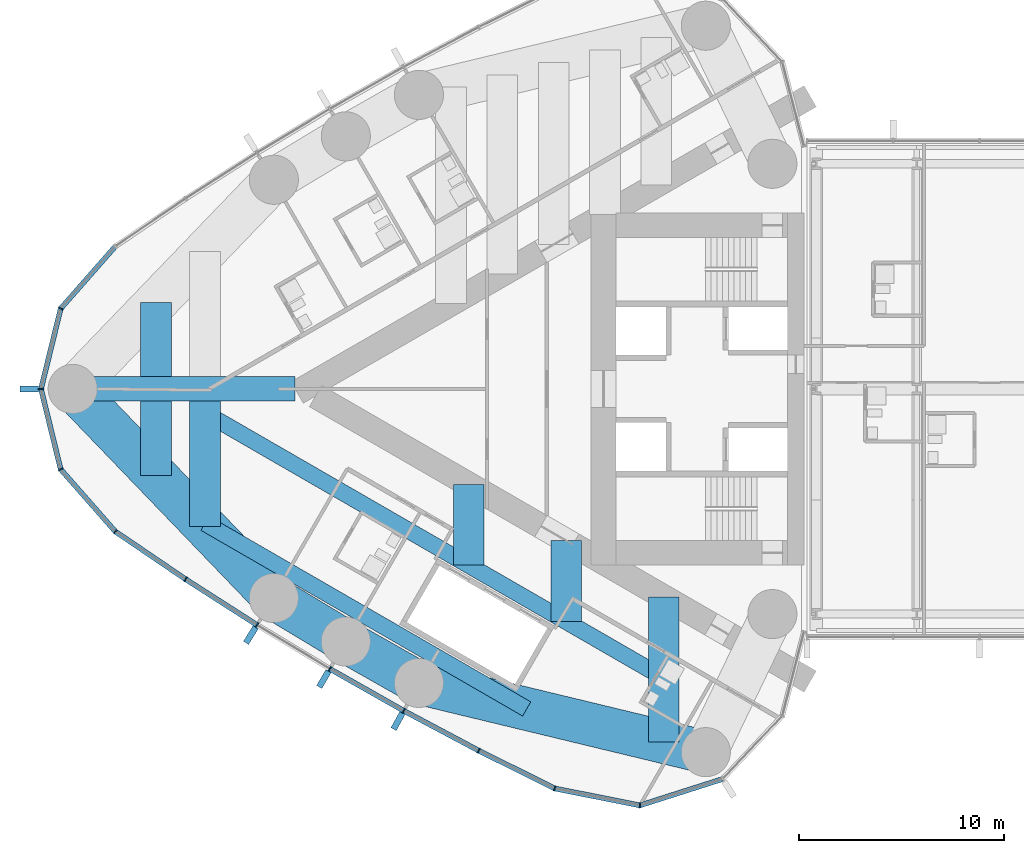
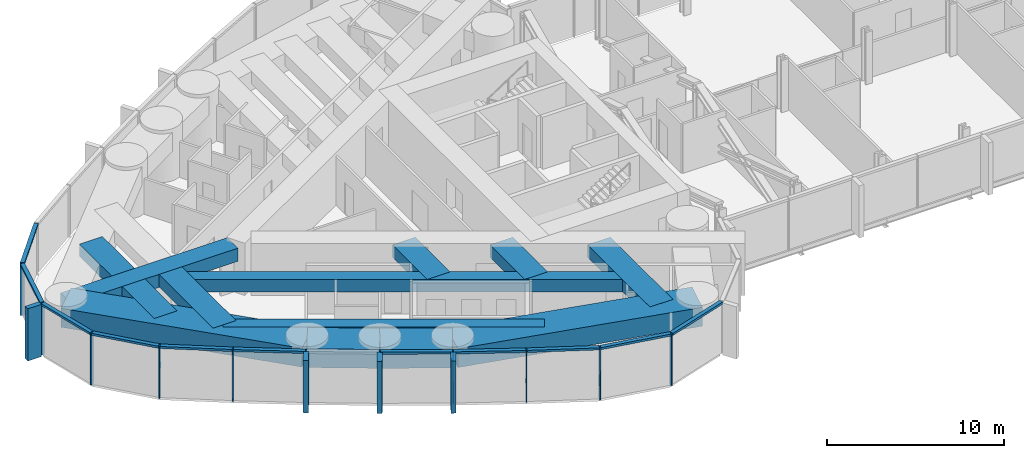
# One storey, part 3 of 23: 26 members, 13 beams, 1 element without a shape of its own.
"""IFC4 building model written with IfcOpenShell, lengths in metres."""

from ifc_helpers import new_model, si_unit, direction, frame, origin, origin_2d, place, context, subcontext, project, spatial, rectangle, hollow_rectangle, extrude, material, material_profile, profile_set, type_object, element, aggregate, save


model = new_model("IFC4")

# Units and contexts
model_context = context("Model", 3, precision=1e-05, world=origin(), true_north=direction((0.0, 1.0)))
body_context = subcontext(model_context, "Body", "Model", "MODEL_VIEW")
ifc_project = project(units=[si_unit("LENGTHUNIT", "METRE"), si_unit("AREAUNIT", "SQUARE_METRE"), si_unit("VOLUMEUNIT", "CUBIC_METRE"), si_unit("PLANEANGLEUNIT", "RADIAN"), si_unit("MASSUNIT", "GRAM", prefix="KILO")], contexts=[model_context])

# Site, building, storey
site_placement = place(None, origin())
site = spatial("IfcSite", under=ifc_project, at=site_placement, CompositionType="ELEMENT")
building_placement = place(site_placement, origin())
building = spatial("IfcBuilding", under=site, at=building_placement, Name="Lancet Gate Hotel", CompositionType="ELEMENT")
storey_placement = place(building_placement, frame((0.0, 0.0, 240.5)))
storey = spatial("IfcBuildingStorey", under=building, at=storey_placement, Name="L64", CompositionType="ELEMENT", Elevation=240.5)

# Curtain wall, members
ifc_material_1 = material(Name="Aluminium curtain wall", Category="aluminium")
curtain_wall_type = type_object("IfcCurtainWallType", Name="Tower unitised curtain wall", PredefinedType="USERDEFINED", material=ifc_material_1)
curtain_wall_placement = place(storey_placement, origin())
curtain_wall = element("IfcCurtainWall", 1, at=curtain_wall_placement, inside=storey, type_object=curtain_wall_type, Name="T1 L64 curtain wall 1", ObjectType="UNITISED CURTAIN WALL", PredefinedType="USERDEFINED")
ifc_material_2 = material(Name="Aluminium mullion", Category="aluminium")
ifc_material_profile_1 = material_profile(ifc_material_2, rectangle(XDim=0.06494140625, YDim=0.25, at=origin_2d()), Name="MULLION 65x250")
ifc_profile_set_1 = profile_set([ifc_material_profile_1], Name="Aluminium mullion")
member_type_1 = type_object("IfcMemberType", Name="Aluminium mullion 65x250", PredefinedType="MULLION", material=ifc_profile_set_1)
member_1_placement = place(storey_placement, frame((-63.822021484375, 3.928466796875, 0.0), z_axis=(0.0, 0.0, 1.0), x_axis=(-0.46217799743, -0.886787177789, 0.0)))
member_1 = element("IfcMember", 2, at=member_1_placement, type_object=member_type_1, Name="T1 L64 curtain wall 1 mullion 12", PredefinedType="MULLION", context=body_context, shape_type="SweptSolid", body=[
    extrude(rectangle(XDim=0.06494140625, YDim=0.25, at=origin_2d()), origin(), (0.0, 0.0, 1.0), 3.60009765625),
])
member_2_placement = place(storey_placement, frame((-64.7841796875, 0.0, 0.0), z_axis=(0.0, 0.0, 1.0), x_axis=(0.0, -1.0, 0.0)))
member_2 = element("IfcMember", 3, at=member_2_placement, type_object=member_type_1, Name="T1 L64 curtain wall 1 mullion 13", PredefinedType="MULLION", context=body_context, shape_type="SweptSolid", body=[
    extrude(rectangle(XDim=0.06494140625, YDim=0.25, at=origin_2d()), origin(), (0.0, 0.0, 1.0), 3.60009765625),
])
member_3_placement = place(storey_placement, frame((-63.822021484375, -3.928466796875, 0.0), z_axis=(0.0, 0.0, 1.0), x_axis=(0.46217799743, -0.886787177789, 0.0)))
member_3 = element("IfcMember", 4, at=member_3_placement, type_object=member_type_1, Name="T1 L64 curtain wall 1 mullion 14", PredefinedType="MULLION", context=body_context, shape_type="SweptSolid", body=[
    extrude(rectangle(XDim=0.06494140625, YDim=0.25, at=origin_2d()), origin(), (0.0, 0.0, 1.0), 3.60009765625),
])
member_4_placement = place(storey_placement, frame((-61.15283203125, -6.967529296875, 0.0), z_axis=(0.0, 0.0, 1.0), x_axis=(0.750715604757, -0.660625522345, 0.0)))
member_4 = element("IfcMember", 5, at=member_4_placement, type_object=member_type_1, Name="T1 L64 curtain wall 1 mullion 15", PredefinedType="MULLION", context=body_context, shape_type="SweptSolid", body=[
    extrude(rectangle(XDim=0.06494140625, YDim=0.25, at=origin_2d()), origin(), (0.0, 0.0, 1.0), 3.60009765625),
])
member_5_placement = place(storey_placement, frame((-57.72021484375, -9.298095703125, 0.0), z_axis=(0.0, 0.0, 1.0), x_axis=(0.834827178542, -0.550512108829, 0.0)))
member_5 = element("IfcMember", 6, at=member_5_placement, type_object=member_type_1, Name="T1 L64 curtain wall 1 mullion 16", PredefinedType="MULLION", context=body_context, shape_type="SweptSolid", body=[
    extrude(rectangle(XDim=0.06494140625, YDim=0.25, at=origin_2d()), origin(), (0.0, 0.0, 1.0), 3.60009765625),
])
member_6_placement = place(storey_placement, frame((-54.225830078125, -11.535400390625, 0.0), z_axis=(0.0, 0.0, 1.0), x_axis=(0.849342388216, -0.527842313176, 0.0)))
member_6 = element("IfcMember", 7, at=member_6_placement, type_object=member_type_1, Name="T1 L64 curtain wall 1 mullion 17", PredefinedType="MULLION", context=body_context, shape_type="SweptSolid", body=[
    extrude(rectangle(XDim=0.06494140625, YDim=0.25, at=origin_2d()), origin(), (0.0, 0.0, 1.0), 3.60009765625),
])
member_7_placement = place(storey_placement, frame((-50.67236328125, -13.677978515625, 0.0), z_axis=(0.0, 0.0, 1.0), x_axis=(0.863242155108, -0.504790037189, 0.0)))
member_7 = element("IfcMember", 8, at=member_7_placement, type_object=member_type_1, Name="T1 L64 curtain wall 1 mullion 18", PredefinedType="MULLION", context=body_context, shape_type="SweptSolid", body=[
    extrude(rectangle(XDim=0.06494140625, YDim=0.25, at=origin_2d()), origin(), (0.0, 0.0, 1.0), 3.60009765625),
])
member_8_placement = place(storey_placement, frame((-47.062744140625, -15.72412109375, 0.0), z_axis=(0.0, 0.0, 1.0), x_axis=(0.876516407283, -0.481371984815, 0.0)))
member_8 = element("IfcMember", 9, at=member_8_placement, type_object=member_type_1, Name="T1 L64 curtain wall 1 mullion 19", PredefinedType="MULLION", context=body_context, shape_type="SweptSolid", body=[
    extrude(rectangle(XDim=0.06494140625, YDim=0.25, at=origin_2d()), origin(), (0.0, 0.0, 1.0), 3.60009765625),
])
member_9_placement = place(storey_placement, frame((-43.3994140625, -17.67236328125, 0.0), z_axis=(0.0, 0.0, 1.0), x_axis=(0.889155526065, -0.457605125046, 0.0)))
member_9 = element("IfcMember", 10, at=member_9_placement, type_object=member_type_1, Name="T1 L64 curtain wall 1 mullion 20", PredefinedType="MULLION", context=body_context, shape_type="SweptSolid", body=[
    extrude(rectangle(XDim=0.06494140625, YDim=0.25, at=origin_2d()), origin(), (0.0, 0.0, 1.0), 3.60009765625),
])
member_10_placement = place(storey_placement, frame((-39.684814453125, -19.521240234375, 0.0), z_axis=(0.0, 0.0, 1.0), x_axis=(0.946887706423, -0.321564412561, 0.0)))
member_10 = element("IfcMember", 11, at=member_10_placement, type_object=member_type_1, Name="T1 L64 curtain wall 1 mullion 21", PredefinedType="MULLION", context=body_context, shape_type="SweptSolid", body=[
    extrude(rectangle(XDim=0.06494140625, YDim=0.25, at=origin_2d()), origin(), (0.0, 0.0, 1.0), 3.60009765625),
])
member_11_placement = place(storey_placement, frame((-35.520751953125, -20.347900390625, 0.0), z_axis=(0.0, 0.0, 1.0), x_axis=(0.998409168318, 0.056383797491, 0.0)))
member_11 = element("IfcMember", 12, at=member_11_placement, type_object=member_type_1, Name="T1 L64 curtain wall 1 mullion 22", PredefinedType="MULLION", context=body_context, shape_type="SweptSolid", body=[
    extrude(rectangle(XDim=0.06494140625, YDim=0.25, at=origin_2d()), origin(), (0.0, 0.0, 1.0), 3.60009765625),
])
ifc_material_3 = material(Name="Aluminium transom", Category="aluminium")
ifc_material_profile_2 = material_profile(ifc_material_3, rectangle(XDim=0.25, YDim=0.14990234375, at=origin_2d()), Name="TRANSOM 250x150")
ifc_profile_set_2 = profile_set([ifc_material_profile_2], Name="Aluminium transom")
member_type_2 = type_object("IfcMemberType", Name="Aluminium transom 250x150", PredefinedType="USERDEFINED", material=ifc_profile_set_2)
member_12_placement = place(storey_placement, frame((-61.17431640625, 6.943115234375, 3.52490234375), z_axis=(-0.659893258593, -0.751359359603, 0.0), x_axis=(0.751359359603, -0.659893258593, 0.0)))
member_12 = element("IfcMember", 13, at=member_12_placement, type_object=member_type_2, Name="T1 L64 curtain wall 1 transom 11", ObjectType="TRANSOM", PredefinedType="USERDEFINED", context=body_context, shape_type="SweptSolid", body=[
    extrude(rectangle(XDim=0.25, YDim=0.14990234375, at=origin_2d()), origin(), (0.0, 0.0, 1.0), 3.979736328125),
])
member_13_placement = place(storey_placement, frame((-63.829833984375, 3.89697265625, 3.52490234375), z_axis=(-0.237899438372, -0.971289790548, 0.0), x_axis=(0.971289790548, -0.237899438372, 0.0)))
member_13 = element("IfcMember", 14, at=member_13_placement, type_object=member_type_2, Name="T1 L64 curtain wall 1 transom 12", ObjectType="TRANSOM", PredefinedType="USERDEFINED", context=body_context, shape_type="SweptSolid", body=[
    extrude(rectangle(XDim=0.25, YDim=0.14990234375, at=origin_2d()), origin(), (0.0, 0.0, 1.0), 3.979736328125),
])
member_14_placement = place(storey_placement, frame((-64.776611328125, -0.031494140625, 3.52490234375), z_axis=(0.237899438372, -0.971289790548, 0.0), x_axis=(0.971289790548, 0.237899438372, 0.0)))
member_14 = element("IfcMember", 15, at=member_14_placement, type_object=member_type_2, Name="T1 L64 curtain wall 1 transom 13", ObjectType="TRANSOM", PredefinedType="USERDEFINED", context=body_context, shape_type="SweptSolid", body=[
    extrude(rectangle(XDim=0.25, YDim=0.14990234375, at=origin_2d()), origin(), (0.0, 0.0, 1.0), 3.979736328125),
])
member_15_placement = place(storey_placement, frame((-63.800537109375, -3.952880859375, 3.52490234375), z_axis=(0.659893258593, -0.751359359603, 0.0), x_axis=(0.751359359603, 0.659893258593, 0.0)))
member_15 = element("IfcMember", 16, at=member_15_placement, type_object=member_type_2, Name="T1 L64 curtain wall 1 transom 14", ObjectType="TRANSOM", PredefinedType="USERDEFINED", context=body_context, shape_type="SweptSolid", body=[
    extrude(rectangle(XDim=0.25, YDim=0.14990234375, at=origin_2d()), origin(), (0.0, 0.0, 1.0), 3.979736328125),
])
member_16_placement = place(storey_placement, frame((-61.1259765625, -6.98583984375, 3.52490234375), z_axis=(0.827348780456, -0.561688521761, 0.0), x_axis=(0.561688521761, 0.827348780456, 0.0)))
member_16 = element("IfcMember", 17, at=member_16_placement, type_object=member_type_2, Name="T1 L64 curtain wall 1 transom 15", ObjectType="TRANSOM", PredefinedType="USERDEFINED", context=body_context, shape_type="SweptSolid", body=[
    extrude(rectangle(XDim=0.25, YDim=0.14990234375, at=origin_2d()), origin(), (0.0, 0.0, 1.0), 4.083984375),
])
member_17_placement = place(storey_placement, frame((-57.692626953125, -9.315673828125, 3.52490234375), z_axis=(0.842144358733, -0.539252147937, 0.0), x_axis=(0.539252147937, 0.842144358733, 0.0)))
member_17 = element("IfcMember", 18, at=member_17_placement, type_object=member_type_2, Name="T1 L64 curtain wall 1 transom 16", ObjectType="TRANSOM", PredefinedType="USERDEFINED", context=body_context, shape_type="SweptSolid", body=[
    extrude(rectangle(XDim=0.25, YDim=0.14990234375, at=origin_2d()), origin(), (0.0, 0.0, 1.0), 4.084228515625),
])
member_18_placement = place(storey_placement, frame((-50.644287109375, -13.694091796875, 3.52490234375), z_axis=(0.869977740049, -0.493090997503, 0.0), x_axis=(0.493090997503, 0.869977740049, 0.0)))
member_18 = element("IfcMember", 19, at=member_18_placement, type_object=member_type_2, Name="T1 L64 curtain wall 1 transom 18", ObjectType="TRANSOM", PredefinedType="USERDEFINED", context=body_context, shape_type="SweptSolid", body=[
    extrude(rectangle(XDim=0.25, YDim=0.14990234375, at=origin_2d()), origin(), (0.0, 0.0, 1.0), 4.084228515625),
])
member_19_placement = place(storey_placement, frame((-47.0341796875, -15.739501953125, 3.52490234375), z_axis=(0.882944619844, -0.469477154171, 0.0), x_axis=(0.469477154171, 0.882944619844, 0.0)))
member_19 = element("IfcMember", 20, at=member_19_placement, type_object=member_type_2, Name="T1 L64 curtain wall 1 transom 19", ObjectType="TRANSOM", PredefinedType="USERDEFINED", context=body_context, shape_type="SweptSolid", body=[
    extrude(rectangle(XDim=0.25, YDim=0.14990234375, at=origin_2d()), origin(), (0.0, 0.0, 1.0), 4.084228515625),
])
member_20_placement = place(storey_placement, frame((-43.370361328125, -17.686767578125, 3.52490234375), z_axis=(0.895226720479, -0.445610950202, 0.0), x_axis=(0.445610950202, 0.895226720479, 0.0)))
member_20 = element("IfcMember", 21, at=member_20_placement, type_object=member_type_2, Name="T1 L64 curtain wall 1 transom 20", ObjectType="TRANSOM", PredefinedType="USERDEFINED", context=body_context, shape_type="SweptSolid", body=[
    extrude(rectangle(XDim=0.25, YDim=0.14990234375, at=origin_2d()), origin(), (0.0, 0.0, 1.0), 4.08447265625),
])
member_21_placement = place(storey_placement, frame((-39.65283203125, -19.527587890625, 3.52490234375), z_axis=(0.980858234867, -0.194723196085, 0.0), x_axis=(0.194723196085, 0.980858234867, 0.0)))
member_21 = element("IfcMember", 22, at=member_21_placement, type_object=member_type_2, Name="T1 L64 curtain wall 1 transom 21", ObjectType="TRANSOM", PredefinedType="USERDEFINED", context=body_context, shape_type="SweptSolid", body=[
    extrude(rectangle(XDim=0.25, YDim=0.14990234375, at=origin_2d()), origin(), (0.0, 0.0, 1.0), 4.18017578125),
])
member_22_placement = place(storey_placement, frame((-35.48974609375, -20.338134765625, 3.52490234375), z_axis=(0.952697713775, 0.303919506068, 0.0), x_axis=(-0.303919506068, 0.952697713775, 0.0)))
member_22 = element("IfcMember", 23, at=member_22_placement, type_object=member_type_2, Name="T1 L64 curtain wall 1 transom 22", ObjectType="TRANSOM", PredefinedType="USERDEFINED", context=body_context, shape_type="SweptSolid", body=[
    extrude(rectangle(XDim=0.25, YDim=0.14990234375, at=origin_2d()), origin(), (0.0, 0.0, 1.0), 4.180419921875),
])

# Beams
ifc_material_4 = material(Name="Concrete C50/60", Category="concrete")
ifc_material_profile_3 = material_profile(ifc_material_4, rectangle(XDim=2.10009765625, YDim=1.300048828125, at=origin_2d()), Name="RC 2100x1300")
ifc_profile_set_3 = profile_set([ifc_material_profile_3], Name="Concrete C50/60")
beam_type_1 = type_object("IfcBeamType", Name="Edge beam RC 2100x1300", PredefinedType="SPANDREL", material=ifc_profile_set_3)
beam_1_placement = place(storey_placement, frame((-63.234375, 0.0, 2.699951171875), z_axis=(0.693134527053, -0.720808245934, 0.0), x_axis=(0.720808245934, 0.693134527053, 0.0)))
element("IfcBeam", 24, at=beam_1_placement, inside=storey, type_object=beam_type_1, Name="T1 edge beam EB1 L64", PredefinedType="SPANDREL", context=body_context, shape_type="SweptSolid", body=[
    extrude(rectangle(XDim=2.10009765625, YDim=1.300048828125, at=origin_2d()), origin(), (0.0, 0.0, 1.0), 14.17724609375),
])
for number, where, z_axis, x_axis, name in (
    (25, (-53.40771484375, -10.218994140625, 2.699951171875), (0.856358061538, -0.516382484636, 0.0), (0.516382484636, 0.856358061538, 0.0), "T1 edge beam EB1 L64"),
    (26, (-49.89013671875, -12.340087890625, 2.699951171875), (0.869978841992, -0.493089053301, 0.0), (0.493089053301, 0.869978841992, 0.0), "T1 edge beam EB1 L64"),
):
    element("IfcBeam", number, at=place(storey_placement, frame(where, z_axis=z_axis, x_axis=x_axis)), inside=storey, type_object=beam_type_1, Name=name, PredefinedType="SPANDREL", context=body_context, shape_type="SweptSolid", body=[
        extrude(rectangle(XDim=2.10009765625, YDim=1.300048828125, at=origin_2d()), origin(), (0.0, 0.0, 1.0), 4.107666015625),
    ])
beam_2_placement = place(storey_placement, frame((-46.316650390625, -14.365478515625, 2.699951171875), z_axis=(0.972132796948, -0.234430853556, 0.0), x_axis=(0.234430853556, 0.972132796948, 0.0)))
element("IfcBeam", 27, at=beam_2_placement, inside=storey, type_object=beam_type_1, Name="T1 edge beam EB1 L64", PredefinedType="SPANDREL", context=body_context, shape_type="SweptSolid", body=[
    extrude(rectangle(XDim=2.10009765625, YDim=1.300048828125, at=origin_2d()), origin(), (0.0, 0.0, 1.0), 14.41748046875),
])

# Member
ifc_material_5 = material(Name="Precast concrete C50/60", Category="concrete")
ifc_material_profile_4 = material_profile(ifc_material_5, rectangle(XDim=0.300048828125, YDim=0.89990234375, at=origin_2d()), Name="FIN 300x900")
ifc_profile_set_4 = profile_set([ifc_material_profile_4], Name="Precast concrete C50/60")
member_type_3 = type_object("IfcMemberType", Name="Exposed concrete fin 300x900", PredefinedType="USERDEFINED", material=ifc_profile_set_4)
member_23_placement = place(storey_placement, frame((-65.359375, 0.0, 0.0), z_axis=(0.0, 0.0, 1.0), x_axis=(0.0, -1.0, 0.0)))
member_23 = element("IfcMember", 28, at=member_23_placement, type_object=member_type_3, Name="T1 L64 curtain wall 1 fin 13", ObjectType="FIN", PredefinedType="USERDEFINED", context=body_context, shape_type="SweptSolid", body=[
    extrude(rectangle(XDim=0.300048828125, YDim=0.89990234375, at=origin_2d()), origin(), (0.0, 0.0, 1.0), 3.60009765625),
])

member_24_placement = place(storey_placement, frame((-54.529296875, -12.02392578125, 0.0), z_axis=(0.0, 0.0, 1.0), x_axis=(0.849342388216, -0.527842313176, 0.0)))
member_24 = element("IfcMember", 29, at=member_24_placement, type_object=member_type_3, Name="T1 L64 curtain wall 1 fin 17", ObjectType="FIN", PredefinedType="USERDEFINED", context=body_context, shape_type="SweptSolid", body=[
    extrude(rectangle(XDim=0.300048828125, YDim=0.89990234375, at=origin_2d()), origin(), (0.0, 0.0, 1.0), 3.60009765625),
])

member_25_placement = place(storey_placement, frame((-50.962646484375, -14.17431640625, 0.0), z_axis=(0.0, 0.0, 1.0), x_axis=(0.863242155108, -0.504790037189, 0.0)))
member_25 = element("IfcMember", 30, at=member_25_placement, type_object=member_type_3, Name="T1 L64 curtain wall 1 fin 18", ObjectType="FIN", PredefinedType="USERDEFINED", context=body_context, shape_type="SweptSolid", body=[
    extrude(rectangle(XDim=0.300048828125, YDim=0.89990234375, at=origin_2d()), origin(), (0.0, 0.0, 1.0), 3.60009765625),
])

member_26_placement = place(storey_placement, frame((-47.339599609375, -16.22802734375, 0.0), z_axis=(0.0, 0.0, 1.0), x_axis=(0.876516407283, -0.481371984815, 0.0)))
member_26 = element("IfcMember", 31, at=member_26_placement, type_object=member_type_3, Name="T1 L64 curtain wall 1 fin 19", ObjectType="FIN", PredefinedType="USERDEFINED", context=body_context, shape_type="SweptSolid", body=[
    extrude(rectangle(XDim=0.300048828125, YDim=0.89990234375, at=origin_2d()), origin(), (0.0, 0.0, 1.0), 3.60009765625),
])

aggregate(curtain_wall, [member_1, member_2, member_23, member_3, member_4, member_5, member_6, member_24, member_7, member_25, member_8, member_26, member_9, member_10, member_11, member_12, member_13, member_14, member_15, member_16, member_17, member_18, member_19, member_20, member_21, member_22])

# Beams
ifc_material_6 = material(Name="Concrete C50/60", Category="concrete")
ifc_material_profile_5 = material_profile(ifc_material_6, rectangle(XDim=1.5, YDim=0.85009765625, at=origin_2d()), Name="RC 1500x850")
ifc_profile_set_5 = profile_set([ifc_material_profile_5], Name="Concrete C50/60")
beam_type_2 = type_object("IfcBeamType", Name="Floor beam RC 1500x850", PredefinedType="BEAM", material=ifc_profile_set_5)
beam_3_placement = place(storey_placement, frame((-34.353515625, -10.169921875, 2.925048828125), z_axis=(0.0, -1.0, 0.0), x_axis=(1.0, 0.0, 0.0)))
element("IfcBeam", 32, at=beam_3_placement, inside=storey, type_object=beam_type_2, Name="T1 floor beam F01N L64", PredefinedType="BEAM", context=body_context, shape_type="SweptSolid", body=[
    extrude(rectangle(XDim=1.5, YDim=0.85009765625, at=origin_2d()), origin(), (0.0, 0.0, 1.0), 7.08056640625),
])
beam_4_placement = place(storey_placement, frame((-56.768310546875, -0.60009765625, 2.925048828125), z_axis=(0.0, -1.0, 0.0), x_axis=(1.0, 0.0, 0.0)))
element("IfcBeam", 33, at=beam_4_placement, inside=storey, type_object=beam_type_2, Name="T1 floor beam F10N L64", PredefinedType="BEAM", context=body_context, shape_type="SweptSolid", body=[
    extrude(rectangle(XDim=1.5, YDim=0.85009765625, at=origin_2d()), origin(), (0.0, 0.0, 1.0), 6.1240234375),
])
for number, where, z_axis, x_axis, name in (
    (34, (-59.168212890625, 4.228271484375, 2.925048828125), (0.0, -1.0, 0.0), (1.0, 0.0, 0.0), "T1 floor beam F11S L64"),
    (35, (-59.168212890625, -0.60009765625, 2.925048828125), (0.0, -1.0, 0.0), (1.0, 0.0, 0.0), "T1 floor beam F12N L64"),
):
    element("IfcBeam", number, at=place(storey_placement, frame(where, z_axis=z_axis, x_axis=x_axis)), inside=storey, type_object=beam_type_2, Name=name, PredefinedType="BEAM", context=body_context, shape_type="SweptSolid", body=[
        extrude(rectangle(XDim=1.5, YDim=0.85009765625, at=origin_2d()), origin(), (0.0, 0.0, 1.0), 3.628173828125),
    ])
for number, where, z_axis, x_axis, name in (
    (36, (-39.122314453125, -7.41650390625, 2.925048828125), (0.0, -1.0, 0.0), (1.0, 0.0, 0.0), "T1 floor beam F04NA L64"),
    (37, (-43.891357421875, -4.663330078125, 2.925048828125), (0.0, -1.0, 0.0), (1.0, 0.0, 0.0), "T1 floor beam F07NA L64"),
):
    element("IfcBeam", number, at=place(storey_placement, frame(where, z_axis=z_axis, x_axis=x_axis)), inside=storey, type_object=beam_type_2, Name=name, PredefinedType="BEAM", context=body_context, shape_type="SweptSolid", body=[
        extrude(rectangle(XDim=1.5, YDim=0.85009765625, at=origin_2d()), origin(), (0.0, 0.0, 1.0), 3.945556640625),
    ])
ifc_material_7 = material(Name="Concrete C50/60", Category="concrete")
ifc_material_profile_6 = material_profile(ifc_material_7, rectangle(XDim=1.199951171875, YDim=0.89990234375, at=origin_2d()), Name="RC 1200x900")
ifc_profile_set_6 = profile_set([ifc_material_profile_6], Name="Concrete C50/60")
beam_type_3 = type_object("IfcBeamType", Name="Radial floor beam RC 1200x900", PredefinedType="BEAM", material=ifc_profile_set_6)
beam_5_placement = place(storey_placement, frame((-63.234375, 0.0, 2.89990234375), z_axis=(1.0, 0.0, 0.0), x_axis=(0.0, 1.0, 0.0)))
element("IfcBeam", 38, at=beam_5_placement, inside=storey, type_object=beam_type_3, Name="T1 radial beam CA L64", PredefinedType="BEAM", context=body_context, shape_type="SweptSolid", body=[
    extrude(rectangle(XDim=1.199951171875, YDim=0.89990234375, at=origin_2d()), origin(), (0.0, 0.0, 1.0), 10.8662109375),
])
ifc_material_8 = material(Name="Steel S460QL", Category="steel")
ifc_material_profile_7 = material_profile(ifc_material_8, hollow_rectangle(XDim=0.800048828125, YDim=0.85009765625, WallThickness=0.080078125, at=origin_2d()), Name="BOX 850x800x80")
ifc_profile_set_7 = profile_set([ifc_material_profile_7], Name="Steel S460QL")
beam_type_4 = type_object("IfcBeamType", Name="Trimmer beam BOX 850x800x80", PredefinedType="BEAM", material=ifc_profile_set_7)
beam_6_placement = place(storey_placement, frame((-34.353515625, -14.115234375, 2.925048828125), z_axis=(-0.866038088301, 0.499978029129, 0.0), x_axis=(-0.499978029129, -0.866038088301, 0.0)))
element("IfcBeam", 39, at=beam_6_placement, inside=storey, type_object=beam_type_4, Name="T1 trimmer beam TR01N L64", PredefinedType="BEAM", context=body_context, shape_type="SweptSolid", body=[
    extrude(hollow_rectangle(XDim=0.800048828125, YDim=0.85009765625, WallThickness=0.080078125, at=origin_2d()), origin(), (0.0, 0.0, 1.0), 25.882080078125),
])
beam_7_placement = place(storey_placement, frame((-41.05322265625, -15.634765625, 2.925048828125), z_axis=(-0.866039732055, 0.499975181887, 0.0), x_axis=(-0.499975181887, -0.866039732055, 0.0)))
element("IfcBeam", 40, at=beam_7_placement, inside=storey, type_object=beam_type_4, Name="T1 trimmer beam TR02N L64", PredefinedType="BEAM", context=body_context, shape_type="SweptSolid", body=[
    extrude(hollow_rectangle(XDim=0.800048828125, YDim=0.85009765625, WallThickness=0.080078125, at=origin_2d()), origin(), (0.0, 0.0, 1.0), 18.14599609375),
])

save(model, "model.ifc")
